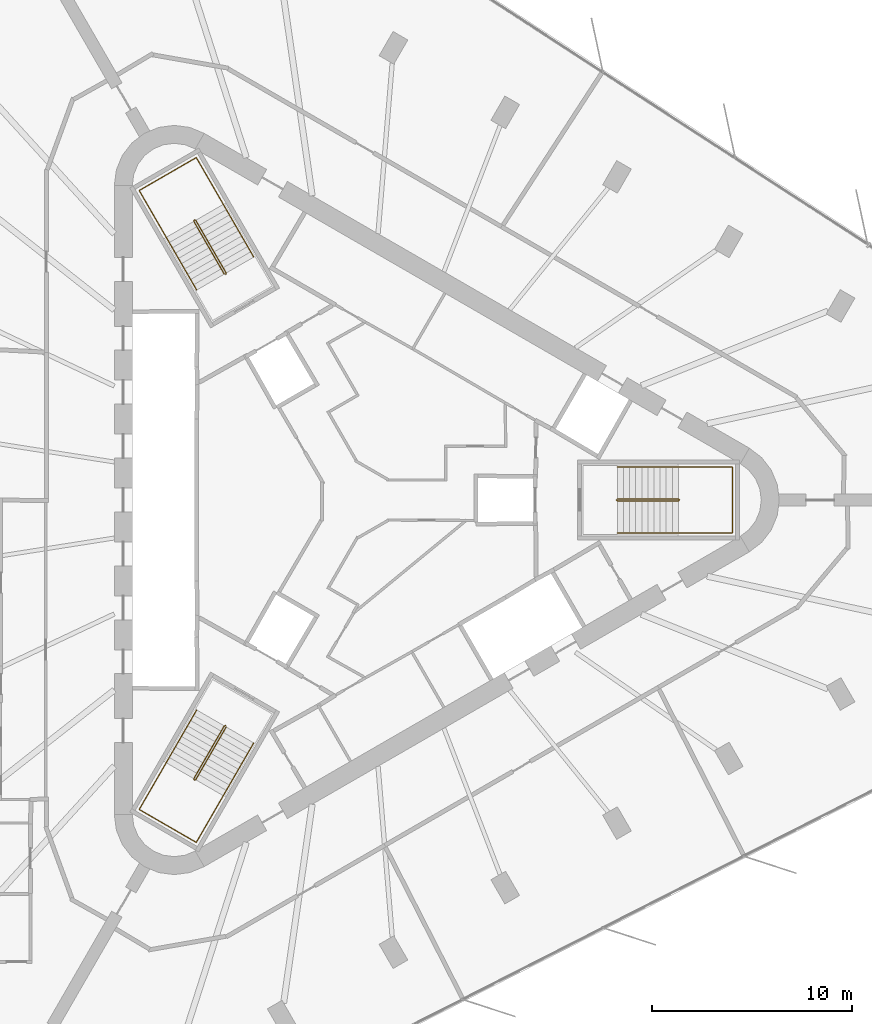
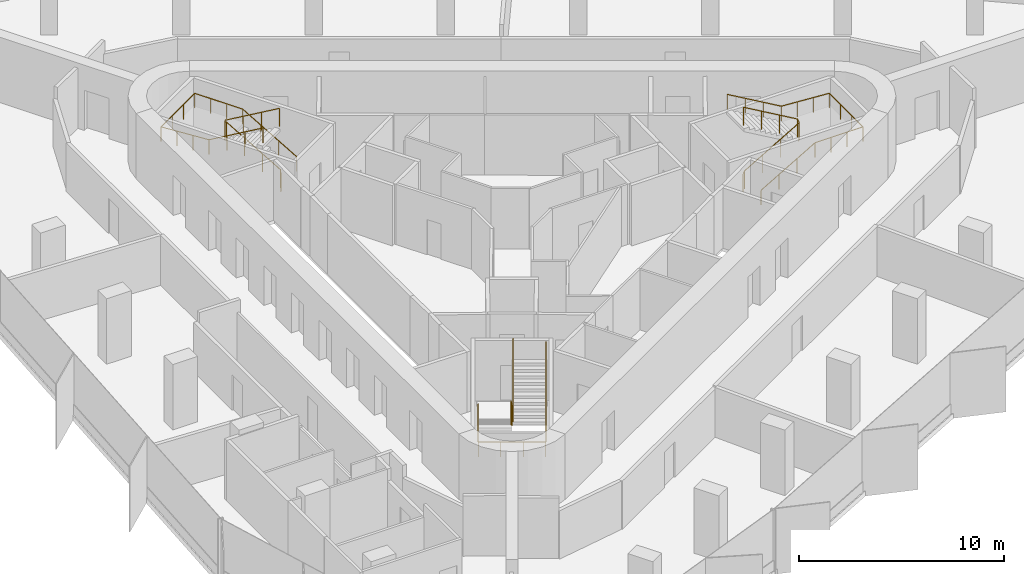
# One storey, part 13 of 13: 6 railings.
"""IFC4 building model written with IfcOpenShell, lengths in metres."""

from ifc_helpers import new_model, si_unit, direction, frame, origin, origin_2d, place, context, subcontext, project, spatial, circle, extrude, material, type_object, element, save


model = new_model("IFC4")

# Units and contexts
model_context = context("Model", 3, precision=1e-05, world=origin(), true_north=direction((0.0, 1.0)))
body_context = subcontext(model_context, "Body", "Model", "MODEL_VIEW")
ifc_project = project(units=[si_unit("LENGTHUNIT", "METRE"), si_unit("AREAUNIT", "SQUARE_METRE"), si_unit("VOLUMEUNIT", "CUBIC_METRE"), si_unit("PLANEANGLEUNIT", "RADIAN"), si_unit("MASSUNIT", "GRAM", prefix="KILO")], contexts=[model_context])

# Site, building, storey
site_placement = place(None, origin())
site = spatial("IfcSite", under=ifc_project, at=site_placement, CompositionType="ELEMENT")
building_placement = place(site_placement, origin())
building = spatial("IfcBuilding", under=site, at=building_placement, Name="Tanit Gate Tower", CompositionType="ELEMENT")
storey_placement = place(building_placement, frame((0.0, 0.0, 314.300048828125)))
storey = spatial("IfcBuildingStorey", under=building, at=storey_placement, Name="L70", CompositionType="ELEMENT", Elevation=314.300048828125)

# Railings
ifc_material_1 = material(Name="Stainless steel balustrade", Category="steel")
railing_type_1 = type_object("IfcRailingType", Name="INT-STAIR-GUARD", PredefinedType="GUARDRAIL", material=ifc_material_1)
railing_1_placement = place(storey_placement, frame((13.044921875, 0.0048828125, 0.0)))
element("IfcRailing", 1, at=railing_1_placement, inside=storey, type_object=railing_type_1, Name="L70 S1 stair guard 1", PredefinedType="GUARDRAIL", context=body_context, shape_type="SweptSolid", body=[
    extrude(circle(Radius=0.02392578125, at=origin_2d()), frame((0.0, 0.0, 1.076171875), z_axis=(0.0, -1.0, 0.0), x_axis=(1.0, 0.0, 0.0)), (0.0, 0.0, 1.0), 0.009765625),
    extrude(circle(Radius=0.02392578125, at=origin_2d()), frame((0.0, -0.009765625, 1.076171875), z_axis=(0.262233686654, -0.262233686654, 0.928691007369), x_axis=(0.707106781187, 0.707106781187, 0.0)), (0.0, 0.0, 1.0), 0.19091796875),
    extrude(circle(Radius=0.02392578125, at=origin_2d()), frame((0.050048828125, -0.059814453125, 1.25341796875), z_axis=(0.864648382064, 0.0, 0.502377522779), x_axis=(0.0, 1.0, 0.0)), (0.0, 0.0, 1.0), 3.528564453125),
    extrude(circle(Radius=0.02392578125, at=origin_2d()), frame((3.10107421875, -0.059814453125, 3.02587890625), z_axis=(0.707106781187, 0.707106781187, 0.0), x_axis=(-0.707106781187, 0.707106781187, 0.0)), (0.0, 0.0, 1.0), 0.07080078125),
    extrude(circle(Radius=0.02392578125, at=origin_2d()), frame((3.151123046875, -0.009765625, 3.02587890625), z_axis=(0.0, 1.0, 0.0), x_axis=(-1.0, 0.0, 0.0)), (0.0, 0.0, 1.0), 0.009765625),
    extrude(circle(Radius=0.02392578125, at=origin_2d()), frame((3.151123046875, 0.0, 3.02587890625), z_axis=(-0.262233686654, 0.262233686654, 0.928691007369), x_axis=(-0.707106781187, -0.707106781187, 0.0)), (0.0, 0.0, 1.0), 0.19091796875),
    extrude(circle(Radius=0.02392578125, at=origin_2d()), frame((3.10107421875, 0.050048828125, 3.203125), z_axis=(-0.864648382064, 0.0, 0.502377522779), x_axis=(0.0, -1.0, 0.0)), (0.0, 0.0, 1.0), 3.528564453125),
    extrude(circle(Radius=0.02099609375, at=origin_2d()), origin(), (0.0, 0.0, 1.0), 1.052001953125),
    extrude(circle(Radius=0.02099609375, at=origin_2d()), frame((0.0, -0.009765625, 0.0)), (0.0, 0.0, 1.0), 1.052001953125),
    extrude(circle(Radius=0.02099609375, at=origin_2d()), frame((0.050048828125, -0.059814453125, 0.17724609375)), (0.0, 0.0, 1.0), 1.052001953125),
    extrude(circle(Radius=0.02099609375, at=origin_2d()), frame((1.067138671875, -0.059814453125, 0.76806640625)), (0.0, 0.0, 1.0), 1.052001953125),
    extrude(circle(Radius=0.02099609375, at=origin_2d()), frame((2.083984375, -0.059814453125, 1.359130859375)), (0.0, 0.0, 1.0), 1.052001953125),
    extrude(circle(Radius=0.02099609375, at=origin_2d()), frame((3.10107421875, -0.059814453125, 1.949951171875)), (0.0, 0.0, 1.0), 1.052001953125),
    extrude(circle(Radius=0.02099609375, at=origin_2d()), frame((3.151123046875, -0.009765625, 1.949951171875)), (0.0, 0.0, 1.0), 1.052001953125),
    extrude(circle(Radius=0.02099609375, at=origin_2d()), frame((3.151123046875, 0.0, 1.949951171875)), (0.0, 0.0, 1.0), 1.052001953125),
    extrude(circle(Radius=0.02099609375, at=origin_2d()), frame((3.10107421875, 0.050048828125, 2.127197265625)), (0.0, 0.0, 1.0), 1.052001953125),
    extrude(circle(Radius=0.02099609375, at=origin_2d()), frame((2.083984375, 0.050048828125, 2.718017578125)), (0.0, 0.0, 1.0), 1.052001953125),
    extrude(circle(Radius=0.02099609375, at=origin_2d()), frame((1.067138671875, 0.050048828125, 3.30908203125)), (0.0, 0.0, 1.0), 1.052001953125),
    extrude(circle(Radius=0.02099609375, at=origin_2d()), frame((0.050048828125, 0.050048828125, 3.89990234375)), (0.0, 0.0, 1.0), 1.052001953125),
])
railing_2_placement = place(storey_placement, frame((-6.527099609375, 11.29345703125, 0.0)))
element("IfcRailing", 2, at=railing_2_placement, inside=storey, type_object=railing_type_1, Name="L70 S2 stair guard 1", PredefinedType="GUARDRAIL", context=body_context, shape_type="SweptSolid", body=[
    extrude(circle(Radius=0.02392578125, at=origin_2d()), frame((0.0, 0.0, 1.076171875), z_axis=(0.868243142124, 0.496138938357, 0.0), x_axis=(-0.496138938357, 0.868243142124, 0.0)), (0.0, 0.0, 1.0), 0.01171875),
    extrude(circle(Radius=0.02392578125, at=origin_2d()), frame((0.01025390625, 0.005859375, 1.076171875), z_axis=(0.095941116058, 0.358180166617, 0.928710003441), x_axis=(-0.965948051503, 0.258736085224, 0.0)), (0.0, 0.0, 1.0), 0.19091796875),
    extrude(circle(Radius=0.02392578125, at=origin_2d()), frame((0.028564453125, 0.07421875, 1.25341796875), z_axis=(-0.4322777601, 0.748681545756, 0.50260509465), x_axis=(-0.866012246495, -0.500022788402, 0.0)), (0.0, 0.0, 1.0), 3.527099609375),
    extrude(circle(Radius=0.02392578125, at=origin_2d()), frame((-1.49609375, 2.71484375, 3.02587890625), z_axis=(-0.965715946433, 0.259601060869, 0.0), x_axis=(-0.259601060869, -0.965715946433, 0.0)), (0.0, 0.0, 1.0), 0.070556640625),
    extrude(circle(Radius=0.02392578125, at=origin_2d()), frame((-1.564208984375, 2.733154296875, 3.02587890625), z_axis=(-0.873197702015, -0.487366159264, 0.0), x_axis=(0.487366159264, -0.873197702015, 0.0)), (0.0, 0.0, 1.0), 0.011962890625),
    extrude(circle(Radius=0.02392578125, at=origin_2d()), frame((-1.57470703125, 2.727294921875, 3.02587890625), z_axis=(-0.095941116058, -0.358180166617, 0.928710003441), x_axis=(0.965948051503, -0.258736085224, 0.0)), (0.0, 0.0, 1.0), 0.19091796875),
    extrude(circle(Radius=0.02392578125, at=origin_2d()), frame((-1.593017578125, 2.658935546875, 3.203125), z_axis=(0.4322777601, -0.748681545756, 0.50260509465), x_axis=(0.866012246495, 0.500022788402, 0.0)), (0.0, 0.0, 1.0), 3.527099609375),
    extrude(circle(Radius=0.02099609375, at=origin_2d()), origin(), (0.0, 0.0, 1.0), 1.052001953125),
    extrude(circle(Radius=0.02099609375, at=origin_2d()), frame((0.01025390625, 0.005859375, 0.0)), (0.0, 0.0, 1.0), 1.052001953125),
    extrude(circle(Radius=0.02099609375, at=origin_2d()), frame((0.028564453125, 0.07421875, 0.17724609375)), (0.0, 0.0, 1.0), 1.052001953125),
    extrude(circle(Radius=0.02099609375, at=origin_2d()), frame((-0.479736328125, 0.954345703125, 0.76806640625)), (0.0, 0.0, 1.0), 1.052001953125),
    extrude(circle(Radius=0.02099609375, at=origin_2d()), frame((-0.98779296875, 1.834716796875, 1.359130859375)), (0.0, 0.0, 1.0), 1.052001953125),
    extrude(circle(Radius=0.02099609375, at=origin_2d()), frame((-1.49609375, 2.71484375, 1.949951171875)), (0.0, 0.0, 1.0), 1.052001953125),
    extrude(circle(Radius=0.02099609375, at=origin_2d()), frame((-1.564208984375, 2.733154296875, 1.949951171875)), (0.0, 0.0, 1.0), 1.052001953125),
    extrude(circle(Radius=0.02099609375, at=origin_2d()), frame((-1.57470703125, 2.727294921875, 1.949951171875)), (0.0, 0.0, 1.0), 1.052001953125),
    extrude(circle(Radius=0.02099609375, at=origin_2d()), frame((-1.593017578125, 2.658935546875, 2.127197265625)), (0.0, 0.0, 1.0), 1.052001953125),
    extrude(circle(Radius=0.02099609375, at=origin_2d()), frame((-1.084716796875, 1.77880859375, 2.718017578125)), (0.0, 0.0, 1.0), 1.052001953125),
    extrude(circle(Radius=0.02099609375, at=origin_2d()), frame((-0.57666015625, 0.8984375, 3.30908203125)), (0.0, 0.0, 1.0), 1.052001953125),
    extrude(circle(Radius=0.02099609375, at=origin_2d()), frame((-0.068359375, 0.018310546875, 3.89990234375)), (0.0, 0.0, 1.0), 1.052001953125),
])
railing_3_placement = place(storey_placement, frame((-6.51806640625, -11.2998046875, 0.0)))
element("IfcRailing", 3, at=railing_3_placement, inside=storey, type_object=railing_type_1, Name="L70 S3 stair guard 1", PredefinedType="GUARDRAIL", context=body_context, shape_type="SweptSolid", body=[
    extrude(circle(Radius=0.02392578125, at=origin_2d()), frame((0.0, 0.0, 1.076171875), z_axis=(-0.874157276122, 0.485642931179, 0.0), x_axis=(-0.485642931179, -0.874157276122, 0.0)), (0.0, 0.0, 1.0), 0.010009765625),
    extrude(circle(Radius=0.02392578125, at=origin_2d()), frame((-0.0087890625, 0.0048828125, 1.076171875), z_axis=(-0.358223840744, -0.094673443625, 0.928823244215), x_axis=(0.255512919477, -0.966805641264, 0.0)), (0.0, 0.0, 1.0), 0.19091796875),
    extrude(circle(Radius=0.02392578125, at=origin_2d()), frame((-0.0771484375, -0.01318359375, 1.25341796875), z_axis=(-0.432289778901, -0.748827189027, 0.502377734411), x_axis=(0.866048339477, -0.499960272111, 0.0)), (0.0, 0.0, 1.0), 3.528564453125),
    extrude(circle(Radius=0.02392578125, at=origin_2d()), frame((-1.6025390625, -2.655517578125, 3.02587890625), z_axis=(0.258736085224, -0.965948051503, 0.0), x_axis=(0.965948051503, 0.258736085224, 0.0)), (0.0, 0.0, 1.0), 0.07080078125),
    extrude(circle(Radius=0.02392578125, at=origin_2d()), frame((-1.584228515625, -2.723876953125, 3.02587890625), z_axis=(0.868243142124, -0.496138938357, 0.0), x_axis=(0.496138938357, 0.868243142124, 0.0)), (0.0, 0.0, 1.0), 0.009765625),
    extrude(circle(Radius=0.02392578125, at=origin_2d()), frame((-1.57568359375, -2.728759765625, 3.02587890625), z_axis=(0.358180166617, 0.095941116058, 0.928710003441), x_axis=(-0.258736085224, 0.965948051503, 0.0)), (0.0, 0.0, 1.0), 0.19091796875),
    extrude(circle(Radius=0.02392578125, at=origin_2d()), frame((-1.50732421875, -2.71044921875, 3.203125), z_axis=(0.432368434633, 0.748774395838, 0.502388734816), x_axis=(-0.865993683553, 0.500054937028, 0.0)), (0.0, 0.0, 1.0), 3.528564453125),
    extrude(circle(Radius=0.02099609375, at=origin_2d()), origin(), (0.0, 0.0, 1.0), 1.052001953125),
    extrude(circle(Radius=0.02099609375, at=origin_2d()), frame((-0.0087890625, 0.0048828125, 0.0)), (0.0, 0.0, 1.0), 1.052001953125),
    extrude(circle(Radius=0.02099609375, at=origin_2d()), frame((-0.0771484375, -0.01318359375, 0.17724609375)), (0.0, 0.0, 1.0), 1.052001953125),
    extrude(circle(Radius=0.02099609375, at=origin_2d()), frame((-0.585693359375, -0.89404296875, 0.76806640625)), (0.0, 0.0, 1.0), 1.052001953125),
    extrude(circle(Radius=0.02099609375, at=origin_2d()), frame((-1.093994140625, -1.774658203125, 1.359130859375)), (0.0, 0.0, 1.0), 1.052001953125),
    extrude(circle(Radius=0.02099609375, at=origin_2d()), frame((-1.6025390625, -2.655517578125, 1.949951171875)), (0.0, 0.0, 1.0), 1.052001953125),
    extrude(circle(Radius=0.02099609375, at=origin_2d()), frame((-1.584228515625, -2.723876953125, 1.949951171875)), (0.0, 0.0, 1.0), 1.052001953125),
    extrude(circle(Radius=0.02099609375, at=origin_2d()), frame((-1.57568359375, -2.728759765625, 1.949951171875)), (0.0, 0.0, 1.0), 1.052001953125),
    extrude(circle(Radius=0.02099609375, at=origin_2d()), frame((-1.50732421875, -2.71044921875, 2.127197265625)), (0.0, 0.0, 1.0), 1.052001953125),
    extrude(circle(Radius=0.02099609375, at=origin_2d()), frame((-0.998779296875, -1.829833984375, 2.718017578125)), (0.0, 0.0, 1.0), 1.052001953125),
    extrude(circle(Radius=0.02099609375, at=origin_2d()), frame((-0.490234375, -0.948974609375, 3.30908203125)), (0.0, 0.0, 1.0), 1.052001953125),
    extrude(circle(Radius=0.02099609375, at=origin_2d()), frame((0.018310546875, -0.068359375, 3.89990234375)), (0.0, 0.0, 1.0), 1.052001953125),
])
ifc_material_2 = material(Name="Stainless steel handrail", Category="steel")
railing_type_2 = type_object("IfcRailingType", Name="INT-STAIR-HANDRAIL", PredefinedType="HANDRAIL", material=ifc_material_2)
railing_4_placement = place(storey_placement, frame((13.094970703125, -1.64990234375, 0.17724609375)))
element("IfcRailing", 4, at=railing_4_placement, inside=storey, type_object=railing_type_2, Name="L70 S1 stair handrail 1", PredefinedType="HANDRAIL", context=body_context, shape_type="SweptSolid", body=[
    extrude(circle(Radius=0.02392578125, at=origin_2d()), frame((0.0, 0.0, 0.8759765625), z_axis=(0.864648382064, 0.0, 0.502377522779), x_axis=(0.0, 1.0, 0.0)), (0.0, 0.0, 1.0), 3.528564453125),
    extrude(circle(Radius=0.02392578125, at=origin_2d()), frame((3.051025390625, 0.0, 2.6484375), z_axis=(1.0, 0.0, 0.0), x_axis=(0.0, 1.0, 0.0)), (0.0, 0.0, 1.0), 2.7041015625),
    extrude(circle(Radius=0.02392578125, at=origin_2d()), frame((5.755126953125, 0.0, 2.6484375), z_axis=(0.0, 1.0, 0.0), x_axis=(-1.0, 0.0, 0.0)), (0.0, 0.0, 1.0), 3.2998046875),
    extrude(circle(Radius=0.02392578125, at=origin_2d()), frame((5.755126953125, 3.2998046875, 2.6484375), z_axis=(-0.997858684482, 0.0, 0.065406771843), x_axis=(0.0, -1.0, 0.0)), (0.0, 0.0, 1.0), 2.7099609375),
    extrude(circle(Radius=0.02392578125, at=origin_2d()), frame((3.051025390625, 3.2998046875, 2.82568359375), z_axis=(-0.864648382064, 0.0, 0.502377522779), x_axis=(0.0, -1.0, 0.0)), (0.0, 0.0, 1.0), 3.528564453125),
    extrude(circle(Radius=0.02099609375, at=origin_2d()), origin(), (0.0, 0.0, 1.0), 0.851806640625),
    extrude(circle(Radius=0.02099609375, at=origin_2d()), frame((1.01708984375, 0.0, 0.5908203125)), (0.0, 0.0, 1.0), 0.851806640625),
    extrude(circle(Radius=0.02099609375, at=origin_2d()), frame((2.033935546875, 0.0, 1.181884765625)), (0.0, 0.0, 1.0), 0.851806640625),
    extrude(circle(Radius=0.02099609375, at=origin_2d()), frame((3.051025390625, 0.0, 1.772705078125)), (0.0, 0.0, 1.0), 0.851806640625),
    extrude(circle(Radius=0.02099609375, at=origin_2d()), frame((3.952392578125, 0.0, 1.772705078125)), (0.0, 0.0, 1.0), 0.851806640625),
    extrude(circle(Radius=0.02099609375, at=origin_2d()), frame((4.853759765625, 0.0, 1.772705078125)), (0.0, 0.0, 1.0), 0.851806640625),
    extrude(circle(Radius=0.02099609375, at=origin_2d()), frame((5.755126953125, 0.0, 1.772705078125)), (0.0, 0.0, 1.0), 0.851806640625),
    extrude(circle(Radius=0.02099609375, at=origin_2d()), frame((5.755126953125, 1.099853515625, 1.772705078125)), (0.0, 0.0, 1.0), 0.851806640625),
    extrude(circle(Radius=0.02099609375, at=origin_2d()), frame((5.755126953125, 2.199951171875, 1.772705078125)), (0.0, 0.0, 1.0), 0.851806640625),
    extrude(circle(Radius=0.02099609375, at=origin_2d()), frame((5.755126953125, 3.2998046875, 1.772705078125)), (0.0, 0.0, 1.0), 0.851806640625),
    extrude(circle(Radius=0.02099609375, at=origin_2d()), frame((4.853759765625, 3.2998046875, 1.831787109375)), (0.0, 0.0, 1.0), 0.851806640625),
    extrude(circle(Radius=0.02099609375, at=origin_2d()), frame((3.952392578125, 3.2998046875, 1.890869140625)), (0.0, 0.0, 1.0), 0.851806640625),
    extrude(circle(Radius=0.02099609375, at=origin_2d()), frame((3.051025390625, 3.2998046875, 1.949951171875)), (0.0, 0.0, 1.0), 0.851806640625),
    extrude(circle(Radius=0.02099609375, at=origin_2d()), frame((2.033935546875, 3.2998046875, 2.540771484375)), (0.0, 0.0, 1.0), 0.851806640625),
    extrude(circle(Radius=0.02099609375, at=origin_2d()), frame((1.01708984375, 3.2998046875, 3.1318359375)), (0.0, 0.0, 1.0), 0.851806640625),
    extrude(circle(Radius=0.02099609375, at=origin_2d()), frame((0.0, 3.2998046875, 3.72265625)), (0.0, 0.0, 1.0), 0.851806640625),
])
railing_5_placement = place(storey_placement, frame((-5.1181640625, 12.164794921875, 0.17724609375)))
element("IfcRailing", 5, at=railing_5_placement, inside=storey, type_object=railing_type_2, Name="L70 S2 stair handrail 1", PredefinedType="HANDRAIL", context=body_context, shape_type="SweptSolid", body=[
    extrude(circle(Radius=0.02392578125, at=origin_2d()), frame((0.0, 0.0, 0.8759765625), z_axis=(-0.432221472453, 0.748703947157, 0.502620133164), x_axis=(-0.866046917185, -0.499962735845, 0.0)), (0.0, 0.0, 1.0), 3.52685546875),
    extrude(circle(Radius=0.02392578125, at=origin_2d()), frame((-1.5244140625, 2.640625, 2.6484375), z_axis=(-0.500019123664, 0.86601436245, 0.0), x_axis=(-0.86601436245, -0.500019123664, 0.0)), (0.0, 0.0, 1.0), 2.70703125),
    extrude(circle(Radius=0.02392578125, at=origin_2d()), frame((-2.8779296875, 4.98486328125, 2.6484375), z_axis=(-0.866008176907, -0.50002983664, 0.0), x_axis=(0.50002983664, -0.866008176907, 0.0)), (0.0, 0.0, 1.0), 3.300048828125),
    extrude(circle(Radius=0.02392578125, at=origin_2d()), frame((-5.73583984375, 3.334716796875, 2.6484375), z_axis=(0.498989459885, -0.864141018102, 0.065343857842), x_axis=(0.865991810323, 0.500058181068, 0.0)), (0.0, 0.0, 1.0), 2.71240234375),
    extrude(circle(Radius=0.02392578125, at=origin_2d()), frame((-4.38232421875, 0.99072265625, 2.82568359375), z_axis=(0.432255358616, -0.748711963836, 0.502579048665), x_axis=(0.866032263162, 0.499988119021, 0.0)), (0.0, 0.0, 1.0), 3.527099609375),
    extrude(circle(Radius=0.02099609375, at=origin_2d()), origin(), (0.0, 0.0, 1.0), 0.851806640625),
    extrude(circle(Radius=0.02099609375, at=origin_2d()), frame((-0.508056640625, 0.880126953125, 0.5908203125)), (0.0, 0.0, 1.0), 0.851806640625),
    extrude(circle(Radius=0.02099609375, at=origin_2d()), frame((-1.016357421875, 1.760498046875, 1.181884765625)), (0.0, 0.0, 1.0), 0.851806640625),
    extrude(circle(Radius=0.02099609375, at=origin_2d()), frame((-1.5244140625, 2.640625, 1.772705078125)), (0.0, 0.0, 1.0), 0.851806640625),
    extrude(circle(Radius=0.02099609375, at=origin_2d()), frame((-1.9755859375, 3.422119140625, 1.772705078125)), (0.0, 0.0, 1.0), 0.851806640625),
    extrude(circle(Radius=0.02099609375, at=origin_2d()), frame((-2.4267578125, 4.203369140625, 1.772705078125)), (0.0, 0.0, 1.0), 0.851806640625),
    extrude(circle(Radius=0.02099609375, at=origin_2d()), frame((-2.8779296875, 4.98486328125, 1.772705078125)), (0.0, 0.0, 1.0), 0.851806640625),
    extrude(circle(Radius=0.02099609375, at=origin_2d()), frame((-3.83056640625, 4.434814453125, 1.772705078125)), (0.0, 0.0, 1.0), 0.851806640625),
    extrude(circle(Radius=0.02099609375, at=origin_2d()), frame((-4.783203125, 3.884765625, 1.772705078125)), (0.0, 0.0, 1.0), 0.851806640625),
    extrude(circle(Radius=0.02099609375, at=origin_2d()), frame((-5.73583984375, 3.334716796875, 1.772705078125)), (0.0, 0.0, 1.0), 0.851806640625),
    extrude(circle(Radius=0.02099609375, at=origin_2d()), frame((-5.28466796875, 2.553466796875, 1.831787109375)), (0.0, 0.0, 1.0), 0.851806640625),
    extrude(circle(Radius=0.02099609375, at=origin_2d()), frame((-4.83349609375, 1.77197265625, 1.890869140625)), (0.0, 0.0, 1.0), 0.851806640625),
    extrude(circle(Radius=0.02099609375, at=origin_2d()), frame((-4.38232421875, 0.99072265625, 1.949951171875)), (0.0, 0.0, 1.0), 0.851806640625),
    extrude(circle(Radius=0.02099609375, at=origin_2d()), frame((-3.8740234375, 0.1103515625, 2.540771484375)), (0.0, 0.0, 1.0), 0.851806640625),
    extrude(circle(Radius=0.02099609375, at=origin_2d()), frame((-3.365966796875, -0.769775390625, 3.1318359375)), (0.0, 0.0, 1.0), 0.851806640625),
    extrude(circle(Radius=0.02099609375, at=origin_2d()), frame((-2.857666015625, -1.650146484375, 3.72265625)), (0.0, 0.0, 1.0), 0.851806640625),
])
railing_6_placement = place(storey_placement, frame((-7.9765625, -10.515625, 0.17724609375)))
element("IfcRailing", 6, at=railing_6_placement, inside=storey, type_object=railing_type_2, Name="L70 S3 stair handrail 1", PredefinedType="HANDRAIL", context=body_context, shape_type="SweptSolid", body=[
    extrude(circle(Radius=0.02392578125, at=origin_2d()), frame((0.0, 0.0, 0.8759765625), z_axis=(-0.432289778901, -0.748827189027, 0.502377734411), x_axis=(0.866048339477, -0.499960272111, 0.0)), (0.0, 0.0, 1.0), 3.528564453125),
    extrude(circle(Radius=0.02392578125, at=origin_2d()), frame((-1.525390625, -2.642333984375, 2.6484375), z_axis=(-0.50004290449, -0.866000631449, 0.0), x_axis=(0.866000631449, -0.50004290449, 0.0)), (0.0, 0.0, 1.0), 2.703857421875),
    extrude(circle(Radius=0.02392578125, at=origin_2d()), frame((-2.87744140625, -4.98388671875, 2.6484375), z_axis=(0.866008176907, -0.50002983664, 0.0), x_axis=(0.50002983664, 0.866008176907, 0.0)), (0.0, 0.0, 1.0), 3.300048828125),
    extrude(circle(Radius=0.02392578125, at=origin_2d()), frame((-0.01953125, -6.634033203125, 2.6484375), z_axis=(0.498933124603, 0.864168748861, 0.065407267689), x_axis=(-0.866023205937, 0.500003806764, 0.0)), (0.0, 0.0, 1.0), 2.7099609375),
    extrude(circle(Radius=0.02392578125, at=origin_2d()), frame((1.33251953125, -4.292236328125, 2.82568359375), z_axis=(0.432289778901, 0.748827189027, 0.502377734411), x_axis=(-0.866048339477, 0.499960272111, 0.0)), (0.0, 0.0, 1.0), 3.528564453125),
    extrude(circle(Radius=0.02099609375, at=origin_2d()), origin(), (0.0, 0.0, 1.0), 0.851806640625),
    extrude(circle(Radius=0.02099609375, at=origin_2d()), frame((-0.508544921875, -0.880859375, 0.5908203125)), (0.0, 0.0, 1.0), 0.851806640625),
    extrude(circle(Radius=0.02099609375, at=origin_2d()), frame((-1.016845703125, -1.761474609375, 1.181884765625)), (0.0, 0.0, 1.0), 0.851806640625),
    extrude(circle(Radius=0.02099609375, at=origin_2d()), frame((-1.525390625, -2.642333984375, 1.772705078125)), (0.0, 0.0, 1.0), 0.851806640625),
    extrude(circle(Radius=0.02099609375, at=origin_2d()), frame((-1.97607421875, -3.4228515625, 1.772705078125)), (0.0, 0.0, 1.0), 0.851806640625),
    extrude(circle(Radius=0.02099609375, at=origin_2d()), frame((-2.4267578125, -4.203369140625, 1.772705078125)), (0.0, 0.0, 1.0), 0.851806640625),
    extrude(circle(Radius=0.02099609375, at=origin_2d()), frame((-2.87744140625, -4.98388671875, 1.772705078125)), (0.0, 0.0, 1.0), 0.851806640625),
    extrude(circle(Radius=0.02099609375, at=origin_2d()), frame((-1.9248046875, -5.533935546875, 1.772705078125)), (0.0, 0.0, 1.0), 0.851806640625),
    extrude(circle(Radius=0.02099609375, at=origin_2d()), frame((-0.97216796875, -6.083984375, 1.772705078125)), (0.0, 0.0, 1.0), 0.851806640625),
    extrude(circle(Radius=0.02099609375, at=origin_2d()), frame((-0.01953125, -6.634033203125, 1.772705078125)), (0.0, 0.0, 1.0), 0.851806640625),
    extrude(circle(Radius=0.02099609375, at=origin_2d()), frame((0.43115234375, -5.853515625, 1.831787109375)), (0.0, 0.0, 1.0), 0.851806640625),
    extrude(circle(Radius=0.02099609375, at=origin_2d()), frame((0.8818359375, -5.07275390625, 1.890869140625)), (0.0, 0.0, 1.0), 0.851806640625),
    extrude(circle(Radius=0.02099609375, at=origin_2d()), frame((1.33251953125, -4.292236328125, 1.949951171875)), (0.0, 0.0, 1.0), 0.851806640625),
    extrude(circle(Radius=0.02099609375, at=origin_2d()), frame((1.841064453125, -3.411376953125, 2.540771484375)), (0.0, 0.0, 1.0), 0.851806640625),
    extrude(circle(Radius=0.02099609375, at=origin_2d()), frame((2.349365234375, -2.53076171875, 3.1318359375)), (0.0, 0.0, 1.0), 0.851806640625),
    extrude(circle(Radius=0.02099609375, at=origin_2d()), frame((2.85791015625, -1.64990234375, 3.72265625)), (0.0, 0.0, 1.0), 0.851806640625),
])

save(model, "model.ifc")
